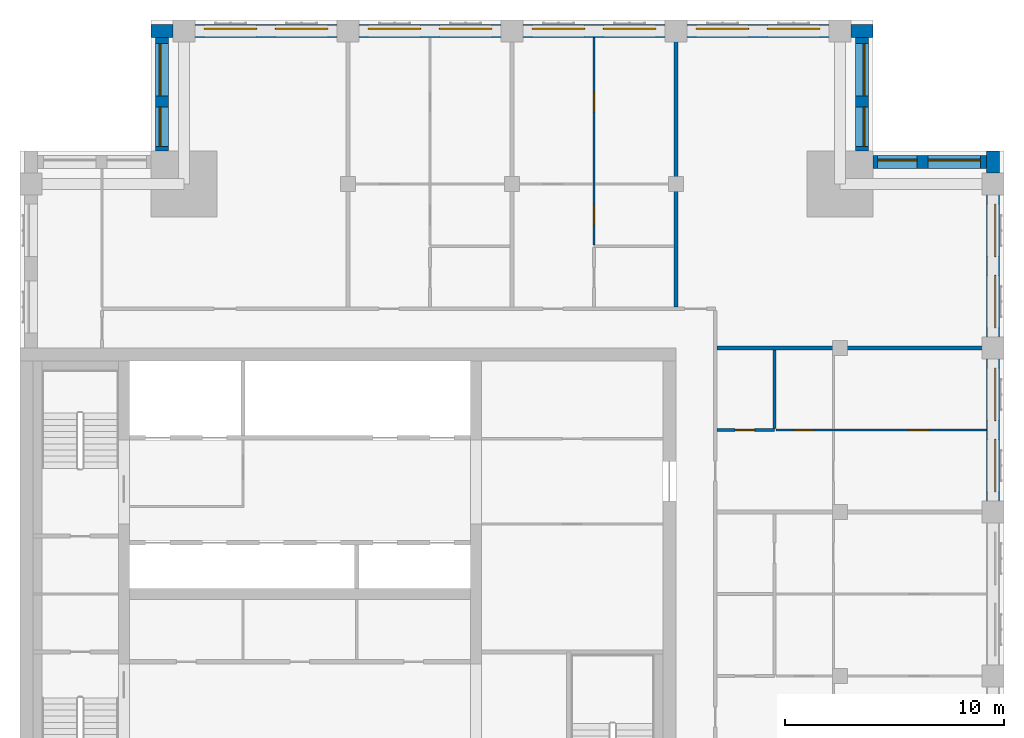
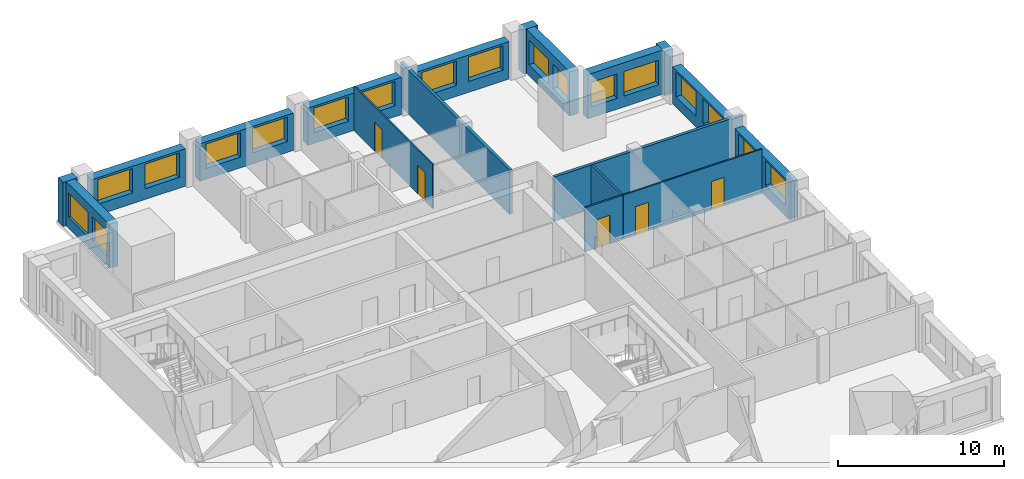
# One storey, part 7 of 10: 18 walls, 18 windows, 5 doors, 23 openings.
"""IFC4 building model written with IfcOpenShell, lengths in metres."""

from ifc_helpers import new_model, si_unit, direction, frame, frame_2d, origin, place, context, subcontext, project, spatial, rectangle, extrude, material, layer, layer_set, type_object, element, fill, save


model = new_model("IFC4")

# Units and contexts
model_context = context("Model", 3, precision=1e-05, world=origin(), true_north=direction((0.0, 1.0)))
body_context = subcontext(model_context, "Body", "Model", "MODEL_VIEW")
ifc_project = project(units=[si_unit("LENGTHUNIT", "METRE"), si_unit("AREAUNIT", "SQUARE_METRE"), si_unit("VOLUMEUNIT", "CUBIC_METRE"), si_unit("PLANEANGLEUNIT", "RADIAN"), si_unit("MASSUNIT", "GRAM", prefix="KILO")], contexts=[model_context])

# Site, building, storey
site_placement = place(None, origin())
site = spatial("IfcSite", under=ifc_project, at=site_placement, CompositionType="ELEMENT")
building_placement = place(site_placement, origin())
building = spatial("IfcBuilding", under=site, at=building_placement, Name="Tamorin Gate", CompositionType="ELEMENT")
storey_placement = place(building_placement, frame((0.0, 0.0, 273.199951171875)))
storey = spatial("IfcBuildingStorey", under=building, at=storey_placement, Name="L68", CompositionType="ELEMENT", Elevation=273.199951171875)

# Wall, openings, windows
ifc_material_1 = material(Name="Precast concrete C40/50", Category="concrete")
ifc_layer_1 = layer(ifc_material_1, 0.60009765625)
ifc_layer_set_1 = layer_set([ifc_layer_1], Name="Precast concrete C40/50")
wall_type_1 = type_object("IfcWallType", Name="Board-marked concrete facade panel 600", PredefinedType="SOLIDWALL", material=ifc_layer_set_1)
wall_1_placement = place(storey_placement, frame((74.5, 75.5, 0.0), z_axis=(0.0, 0.0, 1.0), x_axis=(0.0, 1.0, 0.0)))
wall_1 = element("IfcWall", 1, at=wall_1_placement, inside=storey, type_object=wall_type_1, Name="Facade panel", PredefinedType="SOLIDWALL", context=body_context, shape_type="SweptSolid", body=[
    extrude(rectangle(XDim=6.5, YDim=0.60009765625, at=frame_2d((3.25, 0.0))), origin(), (0.0, 0.0, 1.0), 2.75),
])
opening_1_placement = place(wall_1_placement, frame((0.425048828125, 0.0, 0.800048828125)))
opening_1 = element("IfcOpeningElement", 2, at=opening_1_placement, cuts=wall_1, Name="Opening WN1", PredefinedType="OPENING", context=body_context, shape_type="SweptSolid", body=[
    extrude(rectangle(XDim=2.39990234375, YDim=1.800048828125, at=frame_2d((1.199951171875, 0.89990234375))), frame((0.0, 0.31005859375, 0.0), z_axis=(0.0, -1.0, 0.0), x_axis=(1.0, 0.0, 0.0)), (0.0, 0.0, 1.0), 0.6201171875),
])
opening_2_placement = place(wall_1_placement, frame((3.675048828125, 0.0, 0.800048828125)))
opening_2 = element("IfcOpeningElement", 3, at=opening_2_placement, cuts=wall_1, Name="Opening WN1", PredefinedType="OPENING", context=body_context, shape_type="SweptSolid", body=[
    extrude(rectangle(XDim=2.39990234375, YDim=1.800048828125, at=frame_2d((1.199951171875, 0.89990234375))), frame((0.0, 0.31005859375, 0.0), z_axis=(0.0, -1.0, 0.0), x_axis=(1.0, 0.0, 0.0)), (0.0, 0.0, 1.0), 0.6201171875),
])
ifc_material_2 = material(Name="Clear glass in aluminium frame", Category="aluminium")
window_type_1 = type_object("IfcWindowType", Name="Deep-set window 2400x1800", PartitioningType="SINGLE_PANEL", PredefinedType="WINDOW", material=ifc_material_2)
window_1_placement = place(opening_1_placement, origin())
window_1 = element("IfcWindow", 4, at=window_1_placement, inside=storey, type_object=window_type_1, Name="Deep-set window", OverallHeight=1.800048828125, OverallWidth=2.39990234375, PartitioningType="SINGLE_PANEL", PredefinedType="WINDOW", context=body_context, shape_type="SweptSolid", body=[
    extrude(rectangle(XDim=2.39990234375, YDim=1.800048828125, at=frame_2d((1.199951171875, 0.89990234375))), frame((0.0, -0.070068359375, 0.0), z_axis=(0.0, -1.0, 0.0), x_axis=(1.0, 0.0, 0.0)), (0.0, 0.0, 1.0), 0.06005859375),
])
fill(opening_1, window_1)
window_2_placement = place(opening_2_placement, origin())
window_2 = element("IfcWindow", 5, at=window_2_placement, inside=storey, type_object=window_type_1, Name="Deep-set window", OverallHeight=1.800048828125, OverallWidth=2.39990234375, PartitioningType="SINGLE_PANEL", PredefinedType="WINDOW", context=body_context, shape_type="SweptSolid", body=[
    extrude(rectangle(XDim=2.39990234375, YDim=1.800048828125, at=frame_2d((1.199951171875, 0.89990234375))), frame((0.0, -0.070068359375, 0.0), z_axis=(0.0, -1.0, 0.0), x_axis=(1.0, 0.0, 0.0)), (0.0, 0.0, 1.0), 0.06005859375),
])
fill(opening_2, window_2)

wall_2_placement = place(storey_placement, frame((74.5, 83.0, 0.0), z_axis=(0.0, 0.0, 1.0), x_axis=(0.0, 1.0, 0.0)))
wall_2 = element("IfcWall", 6, at=wall_2_placement, inside=storey, type_object=wall_type_1, Name="Facade panel", PredefinedType="SOLIDWALL", context=body_context, shape_type="SweptSolid", body=[
    extrude(rectangle(XDim=6.5, YDim=0.60009765625, at=frame_2d((3.25, 0.0))), origin(), (0.0, 0.0, 1.0), 2.75),
])
opening_3_placement = place(wall_2_placement, frame((0.425048828125, 0.0, 0.800048828125)))
opening_3 = element("IfcOpeningElement", 7, at=opening_3_placement, cuts=wall_2, Name="Opening WN1", PredefinedType="OPENING", context=body_context, shape_type="SweptSolid", body=[
    extrude(rectangle(XDim=2.39990234375, YDim=1.800048828125, at=frame_2d((1.199951171875, 0.89990234375))), frame((0.0, 0.31005859375, 0.0), z_axis=(0.0, -1.0, 0.0), x_axis=(1.0, 0.0, 0.0)), (0.0, 0.0, 1.0), 0.6201171875),
])
opening_4_placement = place(wall_2_placement, frame((3.675048828125, 0.0, 0.800048828125)))
opening_4 = element("IfcOpeningElement", 8, at=opening_4_placement, cuts=wall_2, Name="Opening WN1", PredefinedType="OPENING", context=body_context, shape_type="SweptSolid", body=[
    extrude(rectangle(XDim=2.39990234375, YDim=1.800048828125, at=frame_2d((1.199951171875, 0.89990234375))), frame((0.0, 0.31005859375, 0.0), z_axis=(0.0, -1.0, 0.0), x_axis=(1.0, 0.0, 0.0)), (0.0, 0.0, 1.0), 0.6201171875),
])
window_3_placement = place(opening_3_placement, origin())
window_3 = element("IfcWindow", 9, at=window_3_placement, inside=storey, type_object=window_type_1, Name="Deep-set window", OverallHeight=1.800048828125, OverallWidth=2.39990234375, PartitioningType="SINGLE_PANEL", PredefinedType="WINDOW", context=body_context, shape_type="SweptSolid", body=[
    extrude(rectangle(XDim=2.39990234375, YDim=1.800048828125, at=frame_2d((1.199951171875, 0.89990234375))), frame((0.0, -0.070068359375, 0.0), z_axis=(0.0, -1.0, 0.0), x_axis=(1.0, 0.0, 0.0)), (0.0, 0.0, 1.0), 0.06005859375),
])
fill(opening_3, window_3)
window_4_placement = place(opening_4_placement, origin())
window_4 = element("IfcWindow", 10, at=window_4_placement, inside=storey, type_object=window_type_1, Name="Deep-set window", OverallHeight=1.800048828125, OverallWidth=2.39990234375, PartitioningType="SINGLE_PANEL", PredefinedType="WINDOW", context=body_context, shape_type="SweptSolid", body=[
    extrude(rectangle(XDim=2.39990234375, YDim=1.800048828125, at=frame_2d((1.199951171875, 0.89990234375))), frame((0.0, -0.070068359375, 0.0), z_axis=(0.0, -1.0, 0.0), x_axis=(1.0, 0.0, 0.0)), (0.0, 0.0, 1.0), 0.06005859375),
])
fill(opening_4, window_4)

# Wall
wall_3_placement = place(storey_placement, frame((74.5, 90.5, 0.0), z_axis=(0.0, 0.0, 1.0), x_axis=(0.0, 1.0, 0.0)))
element("IfcWall", 11, at=wall_3_placement, inside=storey, type_object=wall_type_1, Name="Facade panel", PredefinedType="SOLIDWALL", context=body_context, shape_type="SweptSolid", body=[
    extrude(rectangle(XDim=1.0, YDim=0.60009765625, at=frame_2d((0.5, 0.0))), origin(), (0.0, 0.0, 1.0), 3.25),
])

# Wall, openings, windows
wall_4_placement = place(storey_placement, frame((74.199951171875, 91.0, 0.0), z_axis=(0.0, 0.0, 1.0), x_axis=(-1.0, 0.0, 0.0)))
wall_4 = element("IfcWall", 12, at=wall_4_placement, inside=storey, type_object=wall_type_1, Name="Facade panel", PredefinedType="SOLIDWALL", context=body_context, shape_type="SweptSolid", body=[
    extrude(rectangle(XDim=5.199951171875, YDim=0.60009765625, at=frame_2d((2.60009765625, 0.0))), origin(), (0.0, 0.0, 1.0), 3.25),
])
opening_5_placement = place(wall_4_placement, frame((3.175048828125, 0.0, 0.800048828125)))
opening_5 = element("IfcOpeningElement", 13, at=opening_5_placement, cuts=wall_4, Name="Opening WN2", PredefinedType="OPENING", context=body_context, shape_type="SweptSolid", body=[
    extrude(rectangle(XDim=1.800048828125, YDim=1.800048828125, at=frame_2d((0.89990234375, 0.89990234375))), frame((0.0, 0.31005859375, 0.0), z_axis=(0.0, -1.0, 0.0), x_axis=(1.0, 0.0, 0.0)), (0.0, 0.0, 1.0), 0.6201171875),
])
opening_6_placement = place(wall_4_placement, frame((0.27490234375, 0.0, 0.800048828125)))
opening_6 = element("IfcOpeningElement", 14, at=opening_6_placement, cuts=wall_4, Name="Opening WN1", PredefinedType="OPENING", context=body_context, shape_type="SweptSolid", body=[
    extrude(rectangle(XDim=2.39990234375, YDim=1.800048828125, at=frame_2d((1.199951171875, 0.89990234375))), frame((0.0, 0.31005859375, 0.0), z_axis=(0.0, -1.0, 0.0), x_axis=(1.0, 0.0, 0.0)), (0.0, 0.0, 1.0), 0.6201171875),
])
window_type_2 = type_object("IfcWindowType", Name="Deep-set window 1800x1800", PartitioningType="SINGLE_PANEL", PredefinedType="WINDOW", material=ifc_material_2)
window_5_placement = place(opening_5_placement, origin())
window_5 = element("IfcWindow", 15, at=window_5_placement, inside=storey, type_object=window_type_2, Name="Deep-set window", OverallHeight=1.800048828125, OverallWidth=1.800048828125, PartitioningType="SINGLE_PANEL", PredefinedType="WINDOW", context=body_context, shape_type="SweptSolid", body=[
    extrude(rectangle(XDim=1.800048828125, YDim=1.800048828125, at=frame_2d((0.89990234375, 0.89990234375))), frame((0.0, -0.070068359375, 0.0), z_axis=(0.0, -1.0, 0.0), x_axis=(1.0, 0.0, 0.0)), (0.0, 0.0, 1.0), 0.06005859375),
])
fill(opening_5, window_5)
window_6_placement = place(opening_6_placement, origin())
window_6 = element("IfcWindow", 16, at=window_6_placement, inside=storey, type_object=window_type_1, Name="Deep-set window", OverallHeight=1.800048828125, OverallWidth=2.39990234375, PartitioningType="SINGLE_PANEL", PredefinedType="WINDOW", context=body_context, shape_type="SweptSolid", body=[
    extrude(rectangle(XDim=2.39990234375, YDim=1.800048828125, at=frame_2d((1.199951171875, 0.89990234375))), frame((0.0, -0.070068359375, 0.0), z_axis=(0.0, -1.0, 0.0), x_axis=(1.0, 0.0, 0.0)), (0.0, 0.0, 1.0), 0.06005859375),
])
fill(opening_6, window_6)

wall_5_placement = place(storey_placement, frame((68.5, 91.5, 0.0), z_axis=(0.0, 0.0, 1.0), x_axis=(0.0, 1.0, 0.0)))
wall_5 = element("IfcWall", 17, at=wall_5_placement, inside=storey, type_object=wall_type_1, Name="Facade panel", PredefinedType="SOLIDWALL", context=body_context, shape_type="SweptSolid", body=[
    extrude(rectangle(XDim=5.199951171875, YDim=0.60009765625, at=frame_2d((2.60009765625, 0.0))), origin(), (0.0, 0.0, 1.0), 3.25),
])
opening_7_placement = place(wall_5_placement, frame((0.22509765625, 0.0, 0.800048828125)))
opening_7 = element("IfcOpeningElement", 18, at=opening_7_placement, cuts=wall_5, Name="Opening WN2", PredefinedType="OPENING", context=body_context, shape_type="SweptSolid", body=[
    extrude(rectangle(XDim=1.800048828125, YDim=1.800048828125, at=frame_2d((0.89990234375, 0.89990234375))), frame((0.0, 0.31005859375, 0.0), z_axis=(0.0, -1.0, 0.0), x_axis=(1.0, 0.0, 0.0)), (0.0, 0.0, 1.0), 0.6201171875),
])
opening_8_placement = place(wall_5_placement, frame((2.52490234375, 0.0, 0.800048828125)))
opening_8 = element("IfcOpeningElement", 19, at=opening_8_placement, cuts=wall_5, Name="Opening WN1", PredefinedType="OPENING", context=body_context, shape_type="SweptSolid", body=[
    extrude(rectangle(XDim=2.39990234375, YDim=1.800048828125, at=frame_2d((1.199951171875, 0.89990234375))), frame((0.0, 0.31005859375, 0.0), z_axis=(0.0, -1.0, 0.0), x_axis=(1.0, 0.0, 0.0)), (0.0, 0.0, 1.0), 0.6201171875),
])
window_7_placement = place(opening_7_placement, origin())
window_7 = element("IfcWindow", 20, at=window_7_placement, inside=storey, type_object=window_type_2, Name="Deep-set window", OverallHeight=1.800048828125, OverallWidth=1.800048828125, PartitioningType="SINGLE_PANEL", PredefinedType="WINDOW", context=body_context, shape_type="SweptSolid", body=[
    extrude(rectangle(XDim=1.800048828125, YDim=1.800048828125, at=frame_2d((0.89990234375, 0.89990234375))), frame((0.0, -0.070068359375, 0.0), z_axis=(0.0, -1.0, 0.0), x_axis=(1.0, 0.0, 0.0)), (0.0, 0.0, 1.0), 0.06005859375),
])
fill(opening_7, window_7)
window_8_placement = place(opening_8_placement, origin())
window_8 = element("IfcWindow", 21, at=window_8_placement, inside=storey, type_object=window_type_1, Name="Deep-set window", OverallHeight=1.800048828125, OverallWidth=2.39990234375, PartitioningType="SINGLE_PANEL", PredefinedType="WINDOW", context=body_context, shape_type="SweptSolid", body=[
    extrude(rectangle(XDim=2.39990234375, YDim=1.800048828125, at=frame_2d((1.199951171875, 0.89990234375))), frame((0.0, -0.070068359375, 0.0), z_axis=(0.0, -1.0, 0.0), x_axis=(1.0, 0.0, 0.0)), (0.0, 0.0, 1.0), 0.06005859375),
])
fill(opening_8, window_8)

# Wall
wall_6_placement = place(storey_placement, frame((69.0, 97.0, 0.0), z_axis=(0.0, 0.0, 1.0), x_axis=(-1.0, 0.0, 0.0)))
element("IfcWall", 22, at=wall_6_placement, inside=storey, type_object=wall_type_1, Name="Facade panel", PredefinedType="SOLIDWALL", context=body_context, shape_type="SweptSolid", body=[
    extrude(rectangle(XDim=1.0, YDim=0.60009765625, at=frame_2d((0.5, 0.0))), origin(), (0.0, 0.0, 1.0), 3.25),
])

# Wall, openings, windows
wall_7_placement = place(storey_placement, frame((67.0, 97.0, 0.0), z_axis=(0.0, 0.0, 1.0), x_axis=(-1.0, 0.0, 0.0)))
wall_7 = element("IfcWall", 23, at=wall_7_placement, inside=storey, type_object=wall_type_1, Name="Facade panel", PredefinedType="SOLIDWALL", context=body_context, shape_type="SweptSolid", body=[
    extrude(rectangle(XDim=6.5, YDim=0.60009765625, at=frame_2d((3.25, 0.0))), origin(), (0.0, 0.0, 1.0), 2.75),
])
opening_9_placement = place(wall_7_placement, frame((3.675048828125, 0.0, 0.800048828125)))
opening_9 = element("IfcOpeningElement", 24, at=opening_9_placement, cuts=wall_7, Name="Opening WN1", PredefinedType="OPENING", context=body_context, shape_type="SweptSolid", body=[
    extrude(rectangle(XDim=2.39990234375, YDim=1.800048828125, at=frame_2d((1.199951171875, 0.89990234375))), frame((0.0, 0.31005859375, 0.0), z_axis=(0.0, -1.0, 0.0), x_axis=(1.0, 0.0, 0.0)), (0.0, 0.0, 1.0), 0.6201171875),
])
opening_10_placement = place(wall_7_placement, frame((0.425048828125, 0.0, 0.800048828125)))
opening_10 = element("IfcOpeningElement", 25, at=opening_10_placement, cuts=wall_7, Name="Opening WN1", PredefinedType="OPENING", context=body_context, shape_type="SweptSolid", body=[
    extrude(rectangle(XDim=2.39990234375, YDim=1.800048828125, at=frame_2d((1.199951171875, 0.89990234375))), frame((0.0, 0.31005859375, 0.0), z_axis=(0.0, -1.0, 0.0), x_axis=(1.0, 0.0, 0.0)), (0.0, 0.0, 1.0), 0.6201171875),
])
window_9_placement = place(opening_9_placement, origin())
window_9 = element("IfcWindow", 26, at=window_9_placement, inside=storey, type_object=window_type_1, Name="Deep-set window", OverallHeight=1.800048828125, OverallWidth=2.39990234375, PartitioningType="SINGLE_PANEL", PredefinedType="WINDOW", context=body_context, shape_type="SweptSolid", body=[
    extrude(rectangle(XDim=2.39990234375, YDim=1.800048828125, at=frame_2d((1.199951171875, 0.89990234375))), frame((0.0, -0.070068359375, 0.0), z_axis=(0.0, -1.0, 0.0), x_axis=(1.0, 0.0, 0.0)), (0.0, 0.0, 1.0), 0.06005859375),
])
fill(opening_9, window_9)
window_10_placement = place(opening_10_placement, origin())
window_10 = element("IfcWindow", 27, at=window_10_placement, inside=storey, type_object=window_type_1, Name="Deep-set window", OverallHeight=1.800048828125, OverallWidth=2.39990234375, PartitioningType="SINGLE_PANEL", PredefinedType="WINDOW", context=body_context, shape_type="SweptSolid", body=[
    extrude(rectangle(XDim=2.39990234375, YDim=1.800048828125, at=frame_2d((1.199951171875, 0.89990234375))), frame((0.0, -0.070068359375, 0.0), z_axis=(0.0, -1.0, 0.0), x_axis=(1.0, 0.0, 0.0)), (0.0, 0.0, 1.0), 0.06005859375),
])
fill(opening_10, window_10)

wall_8_placement = place(storey_placement, frame((59.5, 97.0, 0.0), z_axis=(0.0, 0.0, 1.0), x_axis=(-1.0, 0.0, 0.0)))
wall_8 = element("IfcWall", 28, at=wall_8_placement, inside=storey, type_object=wall_type_1, Name="Facade panel", PredefinedType="SOLIDWALL", context=body_context, shape_type="SweptSolid", body=[
    extrude(rectangle(XDim=6.5, YDim=0.60009765625, at=frame_2d((3.25, 0.0))), origin(), (0.0, 0.0, 1.0), 2.75),
])
opening_11_placement = place(wall_8_placement, frame((3.675048828125, 0.0, 0.800048828125)))
opening_11 = element("IfcOpeningElement", 29, at=opening_11_placement, cuts=wall_8, Name="Opening WN1", PredefinedType="OPENING", context=body_context, shape_type="SweptSolid", body=[
    extrude(rectangle(XDim=2.39990234375, YDim=1.800048828125, at=frame_2d((1.199951171875, 0.89990234375))), frame((0.0, 0.31005859375, 0.0), z_axis=(0.0, -1.0, 0.0), x_axis=(1.0, 0.0, 0.0)), (0.0, 0.0, 1.0), 0.6201171875),
])
opening_12_placement = place(wall_8_placement, frame((0.425048828125, 0.0, 0.800048828125)))
opening_12 = element("IfcOpeningElement", 30, at=opening_12_placement, cuts=wall_8, Name="Opening WN1", PredefinedType="OPENING", context=body_context, shape_type="SweptSolid", body=[
    extrude(rectangle(XDim=2.39990234375, YDim=1.800048828125, at=frame_2d((1.199951171875, 0.89990234375))), frame((0.0, 0.31005859375, 0.0), z_axis=(0.0, -1.0, 0.0), x_axis=(1.0, 0.0, 0.0)), (0.0, 0.0, 1.0), 0.6201171875),
])
window_11_placement = place(opening_11_placement, origin())
window_11 = element("IfcWindow", 31, at=window_11_placement, inside=storey, type_object=window_type_1, Name="Deep-set window", OverallHeight=1.800048828125, OverallWidth=2.39990234375, PartitioningType="SINGLE_PANEL", PredefinedType="WINDOW", context=body_context, shape_type="SweptSolid", body=[
    extrude(rectangle(XDim=2.39990234375, YDim=1.800048828125, at=frame_2d((1.199951171875, 0.89990234375))), frame((0.0, -0.070068359375, 0.0), z_axis=(0.0, -1.0, 0.0), x_axis=(1.0, 0.0, 0.0)), (0.0, 0.0, 1.0), 0.06005859375),
])
fill(opening_11, window_11)
window_12_placement = place(opening_12_placement, origin())
window_12 = element("IfcWindow", 32, at=window_12_placement, inside=storey, type_object=window_type_1, Name="Deep-set window", OverallHeight=1.800048828125, OverallWidth=2.39990234375, PartitioningType="SINGLE_PANEL", PredefinedType="WINDOW", context=body_context, shape_type="SweptSolid", body=[
    extrude(rectangle(XDim=2.39990234375, YDim=1.800048828125, at=frame_2d((1.199951171875, 0.89990234375))), frame((0.0, -0.070068359375, 0.0), z_axis=(0.0, -1.0, 0.0), x_axis=(1.0, 0.0, 0.0)), (0.0, 0.0, 1.0), 0.06005859375),
])
fill(opening_12, window_12)

wall_9_placement = place(storey_placement, frame((52.0, 97.0, 0.0), z_axis=(0.0, 0.0, 1.0), x_axis=(-1.0, 0.0, 0.0)))
wall_9 = element("IfcWall", 33, at=wall_9_placement, inside=storey, type_object=wall_type_1, Name="Facade panel", PredefinedType="SOLIDWALL", context=body_context, shape_type="SweptSolid", body=[
    extrude(rectangle(XDim=6.5, YDim=0.60009765625, at=frame_2d((3.25, 0.0))), origin(), (0.0, 0.0, 1.0), 2.75),
])
opening_13_placement = place(wall_9_placement, frame((3.675048828125, 0.0, 0.800048828125)))
opening_13 = element("IfcOpeningElement", 34, at=opening_13_placement, cuts=wall_9, Name="Opening WN1", PredefinedType="OPENING", context=body_context, shape_type="SweptSolid", body=[
    extrude(rectangle(XDim=2.39990234375, YDim=1.800048828125, at=frame_2d((1.199951171875, 0.89990234375))), frame((0.0, 0.31005859375, 0.0), z_axis=(0.0, -1.0, 0.0), x_axis=(1.0, 0.0, 0.0)), (0.0, 0.0, 1.0), 0.6201171875),
])
opening_14_placement = place(wall_9_placement, frame((0.425048828125, 0.0, 0.800048828125)))
opening_14 = element("IfcOpeningElement", 35, at=opening_14_placement, cuts=wall_9, Name="Opening WN1", PredefinedType="OPENING", context=body_context, shape_type="SweptSolid", body=[
    extrude(rectangle(XDim=2.39990234375, YDim=1.800048828125, at=frame_2d((1.199951171875, 0.89990234375))), frame((0.0, 0.31005859375, 0.0), z_axis=(0.0, -1.0, 0.0), x_axis=(1.0, 0.0, 0.0)), (0.0, 0.0, 1.0), 0.6201171875),
])
window_13_placement = place(opening_13_placement, origin())
window_13 = element("IfcWindow", 36, at=window_13_placement, inside=storey, type_object=window_type_1, Name="Deep-set window", OverallHeight=1.800048828125, OverallWidth=2.39990234375, PartitioningType="SINGLE_PANEL", PredefinedType="WINDOW", context=body_context, shape_type="SweptSolid", body=[
    extrude(rectangle(XDim=2.39990234375, YDim=1.800048828125, at=frame_2d((1.199951171875, 0.89990234375))), frame((0.0, -0.070068359375, 0.0), z_axis=(0.0, -1.0, 0.0), x_axis=(1.0, 0.0, 0.0)), (0.0, 0.0, 1.0), 0.06005859375),
])
fill(opening_13, window_13)
window_14_placement = place(opening_14_placement, origin())
window_14 = element("IfcWindow", 37, at=window_14_placement, inside=storey, type_object=window_type_1, Name="Deep-set window", OverallHeight=1.800048828125, OverallWidth=2.39990234375, PartitioningType="SINGLE_PANEL", PredefinedType="WINDOW", context=body_context, shape_type="SweptSolid", body=[
    extrude(rectangle(XDim=2.39990234375, YDim=1.800048828125, at=frame_2d((1.199951171875, 0.89990234375))), frame((0.0, -0.070068359375, 0.0), z_axis=(0.0, -1.0, 0.0), x_axis=(1.0, 0.0, 0.0)), (0.0, 0.0, 1.0), 0.06005859375),
])
fill(opening_14, window_14)

wall_10_placement = place(storey_placement, frame((44.5, 97.0, 0.0), z_axis=(0.0, 0.0, 1.0), x_axis=(-1.0, 0.0, 0.0)))
wall_10 = element("IfcWall", 38, at=wall_10_placement, inside=storey, type_object=wall_type_1, Name="Facade panel", PredefinedType="SOLIDWALL", context=body_context, shape_type="SweptSolid", body=[
    extrude(rectangle(XDim=6.5, YDim=0.60009765625, at=frame_2d((3.25, 0.0))), origin(), (0.0, 0.0, 1.0), 2.75),
])
opening_15_placement = place(wall_10_placement, frame((3.675048828125, 0.0, 0.800048828125)))
opening_15 = element("IfcOpeningElement", 39, at=opening_15_placement, cuts=wall_10, Name="Opening WN1", PredefinedType="OPENING", context=body_context, shape_type="SweptSolid", body=[
    extrude(rectangle(XDim=2.39990234375, YDim=1.800048828125, at=frame_2d((1.199951171875, 0.89990234375))), frame((0.0, 0.31005859375, 0.0), z_axis=(0.0, -1.0, 0.0), x_axis=(1.0, 0.0, 0.0)), (0.0, 0.0, 1.0), 0.6201171875),
])
opening_16_placement = place(wall_10_placement, frame((0.425048828125, 0.0, 0.800048828125)))
opening_16 = element("IfcOpeningElement", 40, at=opening_16_placement, cuts=wall_10, Name="Opening WN1", PredefinedType="OPENING", context=body_context, shape_type="SweptSolid", body=[
    extrude(rectangle(XDim=2.39990234375, YDim=1.800048828125, at=frame_2d((1.199951171875, 0.89990234375))), frame((0.0, 0.31005859375, 0.0), z_axis=(0.0, -1.0, 0.0), x_axis=(1.0, 0.0, 0.0)), (0.0, 0.0, 1.0), 0.6201171875),
])
window_15_placement = place(opening_15_placement, origin())
window_15 = element("IfcWindow", 41, at=window_15_placement, inside=storey, type_object=window_type_1, Name="Deep-set window", OverallHeight=1.800048828125, OverallWidth=2.39990234375, PartitioningType="SINGLE_PANEL", PredefinedType="WINDOW", context=body_context, shape_type="SweptSolid", body=[
    extrude(rectangle(XDim=2.39990234375, YDim=1.800048828125, at=frame_2d((1.199951171875, 0.89990234375))), frame((0.0, -0.070068359375, 0.0), z_axis=(0.0, -1.0, 0.0), x_axis=(1.0, 0.0, 0.0)), (0.0, 0.0, 1.0), 0.06005859375),
])
fill(opening_15, window_15)
window_16_placement = place(opening_16_placement, origin())
window_16 = element("IfcWindow", 42, at=window_16_placement, inside=storey, type_object=window_type_1, Name="Deep-set window", OverallHeight=1.800048828125, OverallWidth=2.39990234375, PartitioningType="SINGLE_PANEL", PredefinedType="WINDOW", context=body_context, shape_type="SweptSolid", body=[
    extrude(rectangle(XDim=2.39990234375, YDim=1.800048828125, at=frame_2d((1.199951171875, 0.89990234375))), frame((0.0, -0.070068359375, 0.0), z_axis=(0.0, -1.0, 0.0), x_axis=(1.0, 0.0, 0.0)), (0.0, 0.0, 1.0), 0.06005859375),
])
fill(opening_16, window_16)

# Wall
wall_11_placement = place(storey_placement, frame((37.0, 97.0, 0.0), z_axis=(0.0, 0.0, 1.0), x_axis=(-1.0, 0.0, 0.0)))
element("IfcWall", 43, at=wall_11_placement, inside=storey, type_object=wall_type_1, Name="Facade panel", PredefinedType="SOLIDWALL", context=body_context, shape_type="SweptSolid", body=[
    extrude(rectangle(XDim=1.0, YDim=0.60009765625, at=frame_2d((0.5, 0.0))), origin(), (0.0, 0.0, 1.0), 3.25),
])

# Wall, openings, windows
wall_12_placement = place(storey_placement, frame((36.5, 96.699951171875, 0.0), z_axis=(0.0, 0.0, 1.0), x_axis=(0.0, -1.0, 0.0)))
wall_12 = element("IfcWall", 44, at=wall_12_placement, inside=storey, type_object=wall_type_1, Name="Facade panel", PredefinedType="SOLIDWALL", context=body_context, shape_type="SweptSolid", body=[
    extrude(rectangle(XDim=5.199951171875, YDim=0.60009765625, at=frame_2d((2.60009765625, 0.0))), origin(), (0.0, 0.0, 1.0), 3.25),
])
opening_17_placement = place(wall_12_placement, frame((3.175048828125, 0.0, 0.800048828125)))
opening_17 = element("IfcOpeningElement", 45, at=opening_17_placement, cuts=wall_12, Name="Opening WN2", PredefinedType="OPENING", context=body_context, shape_type="SweptSolid", body=[
    extrude(rectangle(XDim=1.800048828125, YDim=1.800048828125, at=frame_2d((0.89990234375, 0.89990234375))), frame((0.0, 0.31005859375, 0.0), z_axis=(0.0, -1.0, 0.0), x_axis=(1.0, 0.0, 0.0)), (0.0, 0.0, 1.0), 0.6201171875),
])
opening_18_placement = place(wall_12_placement, frame((0.27490234375, 0.0, 0.800048828125)))
opening_18 = element("IfcOpeningElement", 46, at=opening_18_placement, cuts=wall_12, Name="Opening WN1", PredefinedType="OPENING", context=body_context, shape_type="SweptSolid", body=[
    extrude(rectangle(XDim=2.39990234375, YDim=1.800048828125, at=frame_2d((1.199951171875, 0.89990234375))), frame((0.0, 0.31005859375, 0.0), z_axis=(0.0, -1.0, 0.0), x_axis=(1.0, 0.0, 0.0)), (0.0, 0.0, 1.0), 0.6201171875),
])
window_17_placement = place(opening_17_placement, origin())
window_17 = element("IfcWindow", 47, at=window_17_placement, inside=storey, type_object=window_type_2, Name="Deep-set window", OverallHeight=1.800048828125, OverallWidth=1.800048828125, PartitioningType="SINGLE_PANEL", PredefinedType="WINDOW", context=body_context, shape_type="SweptSolid", body=[
    extrude(rectangle(XDim=1.800048828125, YDim=1.800048828125, at=frame_2d((0.89990234375, 0.89990234375))), frame((0.0, -0.070068359375, 0.0), z_axis=(0.0, -1.0, 0.0), x_axis=(1.0, 0.0, 0.0)), (0.0, 0.0, 1.0), 0.06005859375),
])
fill(opening_17, window_17)
window_18_placement = place(opening_18_placement, origin())
window_18 = element("IfcWindow", 48, at=window_18_placement, inside=storey, type_object=window_type_1, Name="Deep-set window", OverallHeight=1.800048828125, OverallWidth=2.39990234375, PartitioningType="SINGLE_PANEL", PredefinedType="WINDOW", context=body_context, shape_type="SweptSolid", body=[
    extrude(rectangle(XDim=2.39990234375, YDim=1.800048828125, at=frame_2d((1.199951171875, 0.89990234375))), frame((0.0, -0.070068359375, 0.0), z_axis=(0.0, -1.0, 0.0), x_axis=(1.0, 0.0, 0.0)), (0.0, 0.0, 1.0), 0.06005859375),
])
fill(opening_18, window_18)

# Walls
ifc_material_3 = material(Name="Gypsum board partition")
ifc_layer_2 = layer(ifc_material_3, 0.199951171875)
ifc_layer_set_2 = layer_set([ifc_layer_2], Name="Demising wall 200")
wall_type_2 = type_object("IfcWallType", Name="Demising wall 200", PredefinedType="PARTITIONING", material=ifc_layer_set_2)
for number, where, z_axis, x_axis, name in (
    (49, (61.875, 82.5, 0.0), (0.0, 0.0, 1.0), (1.0, 0.0, 0.0), "Demising wall 200"),
    (50, (60.0, 84.375, 0.0), (0.0, 0.0, 1.0), (0.0, 1.0, 0.0), "Demising wall 200"),
):
    element("IfcWall", number, at=place(storey_placement, frame(where, z_axis=z_axis, x_axis=x_axis)), inside=storey, type_object=wall_type_2, Name=name, PredefinedType="PARTITIONING", context=body_context, shape_type="SweptSolid", body=[
        extrude(rectangle(XDim=13.125, YDim=0.199951171875, at=frame_2d((6.5625, 0.0))), origin(), (0.0, 0.0, 1.0), 3.25),
    ])

# Wall, openings, doors
ifc_layer_3 = layer(ifc_material_3, 0.10009765625)
ifc_layer_set_3 = layer_set([ifc_layer_3], Name="Room partition 100")
wall_type_3 = type_object("IfcWallType", Name="Room partition 100", PredefinedType="PARTITIONING", material=ifc_layer_set_3)
wall_13_placement = place(storey_placement, frame((64.5625, 78.75, 0.0), z_axis=(0.0, 0.0, 1.0), x_axis=(1.0, 0.0, 0.0)))
wall_13 = element("IfcWall", 51, at=wall_13_placement, inside=storey, type_object=wall_type_3, Name="Room partition 100", PredefinedType="PARTITIONING", context=body_context, shape_type="SweptSolid", body=[
    extrude(rectangle(XDim=9.62744140625, YDim=0.10009765625, at=frame_2d((4.813720703125, 0.0))), origin(), (0.0, 0.0, 1.0), 3.25),
])
opening_19_placement = place(wall_13_placement, frame((0.83740234375, 0.0, 0.0)))
opening_19 = element("IfcOpeningElement", 52, at=opening_19_placement, cuts=wall_13, Name="Opening DR10041", PredefinedType="OPENING", context=body_context, shape_type="SweptSolid", body=[
    extrude(rectangle(XDim=0.89990234375, YDim=2.10009765625, at=frame_2d((0.449951171875, 1.050048828125))), frame((0.0, 0.06005859375, 0.0), z_axis=(0.0, -1.0, 0.0), x_axis=(1.0, 0.0, 0.0)), (0.0, 0.0, 1.0), 0.1201171875),
])
opening_20_placement = place(wall_13_placement, frame((6.08740234375, 0.0, 0.0)))
opening_20 = element("IfcOpeningElement", 53, at=opening_20_placement, cuts=wall_13, Name="Opening DR10043", PredefinedType="OPENING", context=body_context, shape_type="SweptSolid", body=[
    extrude(rectangle(XDim=0.89990234375, YDim=2.10009765625, at=frame_2d((0.449951171875, 1.050048828125))), frame((0.0, 0.06005859375, 0.0), z_axis=(0.0, -1.0, 0.0), x_axis=(1.0, 0.0, 0.0)), (0.0, 0.0, 1.0), 0.1201171875),
])
ifc_material_4 = material(Name="Timber door leaf", Category="wood")
door_type = type_object("IfcDoorType", Name="Door 900 x 2100", OperationType="NOTDEFINED", PredefinedType="DOOR", material=ifc_material_4)
door_1_placement = place(opening_19_placement, origin())
door_1 = element("IfcDoor", 54, at=door_1_placement, inside=storey, type_object=door_type, Name="Door DR10041", OperationType="SINGLE_SWING_LEFT", OverallHeight=2.10009765625, OverallWidth=0.89990234375, PredefinedType="DOOR", context=body_context, shape_type="SweptSolid", body=[
    extrude(rectangle(XDim=0.89990234375, YDim=2.10009765625, at=frame_2d((0.449951171875, 1.050048828125))), frame((0.0, 0.02490234375, 0.0), z_axis=(0.0, -1.0, 0.0), x_axis=(1.0, 0.0, 0.0)), (0.0, 0.0, 1.0), 0.050048828125),
])
fill(opening_19, door_1)
door_2_placement = place(opening_20_placement, origin())
door_2 = element("IfcDoor", 55, at=door_2_placement, inside=storey, type_object=door_type, Name="Door DR10043", OperationType="SINGLE_SWING_RIGHT", OverallHeight=2.10009765625, OverallWidth=0.89990234375, PredefinedType="DOOR", context=body_context, shape_type="SweptSolid", body=[
    extrude(rectangle(XDim=0.89990234375, YDim=2.10009765625, at=frame_2d((0.449951171875, 1.050048828125))), frame((0.0, 0.02490234375, 0.0), z_axis=(0.0, -1.0, 0.0), x_axis=(1.0, 0.0, 0.0)), (0.0, 0.0, 1.0), 0.050048828125),
])
fill(opening_20, door_2)

wall_14_placement = place(storey_placement, frame((56.25, 87.21240234375, 0.0), z_axis=(0.0, 0.0, 1.0), x_axis=(0.0, 1.0, 0.0)))
wall_14 = element("IfcWall", 56, at=wall_14_placement, inside=storey, type_object=wall_type_3, Name="Room partition 100", PredefinedType="PARTITIONING", context=body_context, shape_type="SweptSolid", body=[
    extrude(rectangle(XDim=9.4775390625, YDim=0.10009765625, at=frame_2d((4.73876953125, 0.0))), origin(), (0.0, 0.0, 1.0), 3.25),
])
opening_21_placement = place(wall_14_placement, frame((0.91259765625, 0.0, 0.0)))
opening_21 = element("IfcOpeningElement", 57, at=opening_21_placement, cuts=wall_14, Name="Opening DR10024", PredefinedType="OPENING", context=body_context, shape_type="SweptSolid", body=[
    extrude(rectangle(XDim=0.89990234375, YDim=2.10009765625, at=frame_2d((0.449951171875, 1.050048828125))), frame((0.0, 0.06005859375, 0.0), z_axis=(0.0, -1.0, 0.0), x_axis=(1.0, 0.0, 0.0)), (0.0, 0.0, 1.0), 0.1201171875),
])
opening_22_placement = place(wall_14_placement, frame((6.08740234375, 0.0, 0.0)))
opening_22 = element("IfcOpeningElement", 58, at=opening_22_placement, cuts=wall_14, Name="Opening DR10026", PredefinedType="OPENING", context=body_context, shape_type="SweptSolid", body=[
    extrude(rectangle(XDim=0.89990234375, YDim=2.10009765625, at=frame_2d((0.449951171875, 1.050048828125))), frame((0.0, 0.06005859375, 0.0), z_axis=(0.0, -1.0, 0.0), x_axis=(1.0, 0.0, 0.0)), (0.0, 0.0, 1.0), 0.1201171875),
])
door_3_placement = place(opening_21_placement, origin())
door_3 = element("IfcDoor", 59, at=door_3_placement, inside=storey, type_object=door_type, Name="Door DR10024", OperationType="SINGLE_SWING_LEFT", OverallHeight=2.10009765625, OverallWidth=0.89990234375, PredefinedType="DOOR", context=body_context, shape_type="SweptSolid", body=[
    extrude(rectangle(XDim=0.89990234375, YDim=2.10009765625, at=frame_2d((0.449951171875, 1.050048828125))), frame((0.0, 0.02490234375, 0.0), z_axis=(0.0, -1.0, 0.0), x_axis=(1.0, 0.0, 0.0)), (0.0, 0.0, 1.0), 0.050048828125),
])
fill(opening_21, door_3)
door_4_placement = place(opening_22_placement, origin())
door_4 = element("IfcDoor", 60, at=door_4_placement, inside=storey, type_object=door_type, Name="Door DR10026", OperationType="SINGLE_SWING_LEFT", OverallHeight=2.10009765625, OverallWidth=0.89990234375, PredefinedType="DOOR", context=body_context, shape_type="SweptSolid", body=[
    extrude(rectangle(XDim=0.89990234375, YDim=2.10009765625, at=frame_2d((0.449951171875, 1.050048828125))), frame((0.0, 0.02490234375, 0.0), z_axis=(0.0, -1.0, 0.0), x_axis=(1.0, 0.0, 0.0)), (0.0, 0.0, 1.0), 0.050048828125),
])
fill(opening_22, door_4)

# Wall, opening, door
ifc_layer_4 = layer(ifc_material_3, 0.125)
ifc_layer_set_4 = layer_set([ifc_layer_4], Name="Wet wall 125")
wall_type_4 = type_object("IfcWallType", Name="Wet wall 125", PredefinedType="PARTITIONING", material=ifc_layer_set_4)
wall_15_placement = place(storey_placement, frame((61.875, 78.75, 0.0), z_axis=(0.0, 0.0, 1.0), x_axis=(1.0, 0.0, 0.0)))
wall_15 = element("IfcWall", 61, at=wall_15_placement, inside=storey, type_object=wall_type_4, Name="Wet wall 125", PredefinedType="PARTITIONING", context=body_context, shape_type="SweptSolid", body=[
    extrude(rectangle(XDim=2.625, YDim=0.125, at=frame_2d((1.3125, 0.0))), origin(), (0.0, 0.0, 1.0), 3.25),
])
opening_23_placement = place(wall_15_placement, frame((0.824951171875, 0.0, 0.0)))
opening_23 = element("IfcOpeningElement", 62, at=opening_23_placement, cuts=wall_15, Name="Opening DR10042", PredefinedType="OPENING", context=body_context, shape_type="SweptSolid", body=[
    extrude(rectangle(XDim=0.89990234375, YDim=2.10009765625, at=frame_2d((0.449951171875, 1.050048828125))), frame((0.0, 0.072509765625, 0.0), z_axis=(0.0, -1.0, 0.0), x_axis=(1.0, 0.0, 0.0)), (0.0, 0.0, 1.0), 0.14501953125),
])
door_5_placement = place(opening_23_placement, origin())
door_5 = element("IfcDoor", 63, at=door_5_placement, inside=storey, type_object=door_type, Name="Door DR10042", OperationType="SINGLE_SWING_LEFT", OverallHeight=2.10009765625, OverallWidth=0.89990234375, PredefinedType="DOOR", context=body_context, shape_type="SweptSolid", body=[
    extrude(rectangle(XDim=0.89990234375, YDim=2.10009765625, at=frame_2d((0.449951171875, 1.050048828125))), frame((0.0, 0.02490234375, 0.0), z_axis=(0.0, -1.0, 0.0), x_axis=(1.0, 0.0, 0.0)), (0.0, 0.0, 1.0), 0.050048828125),
])
fill(opening_23, door_5)

# Wall
wall_16_placement = place(storey_placement, frame((64.5, 78.8125, 0.0), z_axis=(0.0, 0.0, 1.0), x_axis=(0.0, 1.0, 0.0)))
element("IfcWall", 64, at=wall_16_placement, inside=storey, type_object=wall_type_4, Name="Wet wall 125", PredefinedType="PARTITIONING", context=body_context, shape_type="SweptSolid", body=[
    extrude(rectangle(XDim=3.58740234375, YDim=0.125, at=frame_2d((1.793701171875, 0.0))), origin(), (0.0, 0.0, 1.0), 3.25),
])

save(model, "model.ifc")
